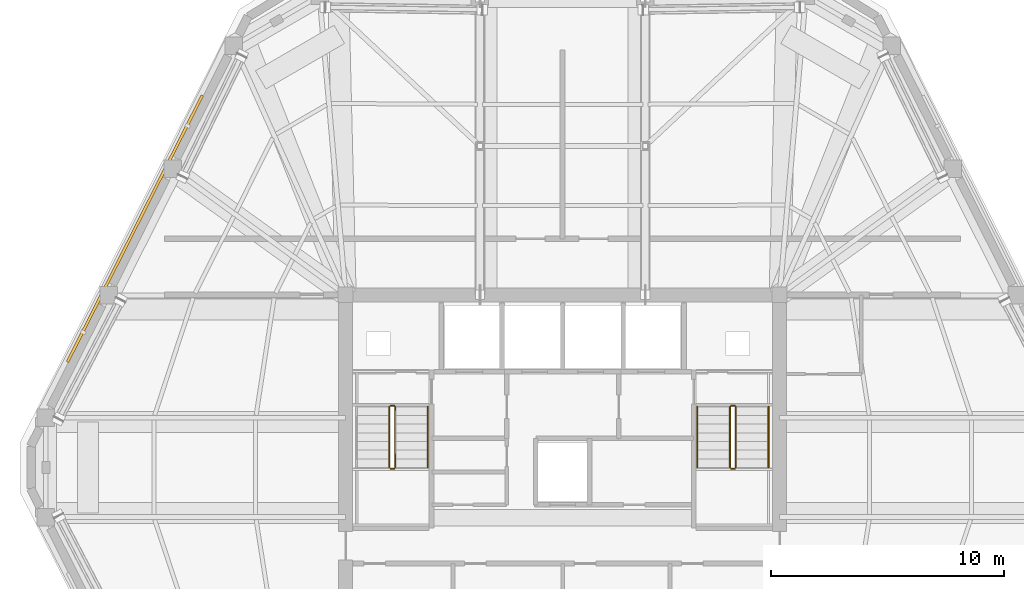
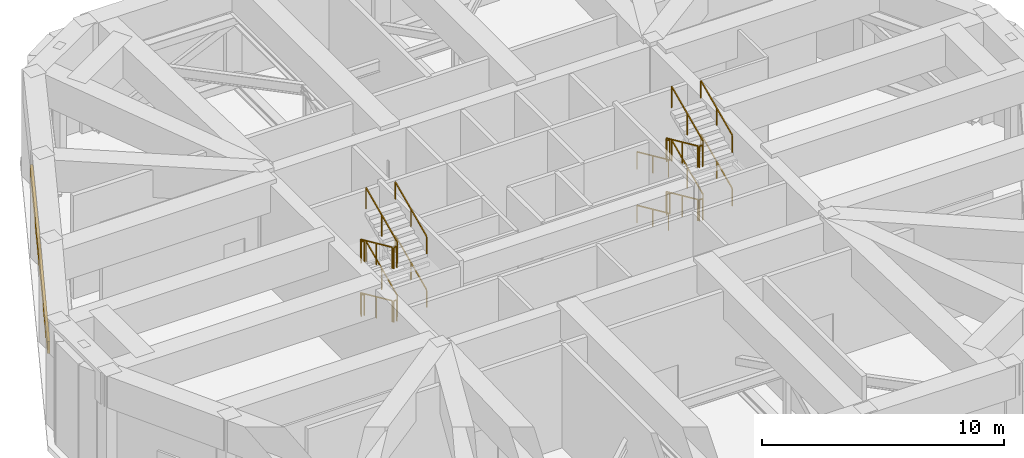
# One storey, part 14 of 15: 22 railings, 1 shading device.
"""IFC4 building model written with IfcOpenShell, lengths in metres."""

from ifc_helpers import new_model, si_unit, direction, frame, origin, origin_2d, place, context, subcontext, project, spatial, rectangle, extrude, material, layer, layer_set, type_object, element, save


model = new_model("IFC4")

# Units and contexts
model_context = context("Model", 3, precision=1e-05, world=origin(), true_north=direction((0.0, 1.0)))
body_context = subcontext(model_context, "Body", "Model", "MODEL_VIEW")
ifc_project = project(units=[si_unit("LENGTHUNIT", "METRE"), si_unit("AREAUNIT", "SQUARE_METRE"), si_unit("VOLUMEUNIT", "CUBIC_METRE"), si_unit("PLANEANGLEUNIT", "RADIAN"), si_unit("MASSUNIT", "GRAM", prefix="KILO")], contexts=[model_context])

# Site, building, storey
site_placement = place(None, origin())
site = spatial("IfcSite", under=ifc_project, at=site_placement, CompositionType="ELEMENT")
building_placement = place(site_placement, origin())
building = spatial("IfcBuilding", under=site, at=building_placement, Name="Cinnabar Lancet Tower", CompositionType="ELEMENT")
storey_placement = place(building_placement, frame((0.0, 0.0, 221.60009765625)))
storey = spatial("IfcBuildingStorey", under=building, at=storey_placement, Name="L59", CompositionType="ELEMENT", Elevation=221.60009765625)

# Shading device
ifc_material_1 = material(Name="Anodized acoustic plant weather louvre", Category="aluminium")
ifc_layer = layer(ifc_material_1, 0.094970703125)
ifc_layer_set = layer_set([ifc_layer], Name="Anodized acoustic plant weather louvre")
shading_device_type = type_object("IfcShadingDeviceType", Name="ENV-SHD-LVR-600", PredefinedType="JALOUSIE", material=ifc_layer_set)
shading_device_placement = place(storey_placement, frame((14.06689453125, 36.031005859375, 1.849853515625), z_axis=(0.0, 0.0, 1.0), x_axis=(-0.451375984307, -0.89233386173, 0.0)))
element("IfcShadingDevice", 1, at=shading_device_placement, inside=storey, type_object=shading_device_type, Name="L59 Face 5 Acoustic Plant Weather Louvre", PredefinedType="JALOUSIE", context=body_context, shape_type="SweptSolid", body=[
    extrude(rectangle(XDim=12.800048828125, YDim=0.1201171875, at=origin_2d()), origin(), (0.0, 0.0, 1.0), 0.60009765625),
])

# Railings
ifc_material_2 = material(Name="Painted galvanized steel balustrade", Category="steel")
railing_type_1 = type_object("IfcRailingType", Name="GUARD-STAIR", PredefinedType="GUARDRAIL", material=ifc_material_2)
railing_1_placement = place(storey_placement, frame((24.97509765625, 28.39990234375, 0.168701171875)))
element("IfcRailing", 2, at=railing_1_placement, inside=storey, type_object=railing_type_1, Name="L59 ST-1 stair guard 1", PredefinedType="GUARDRAIL", context=body_context, shape_type="SweptSolid", body=[
    extrude(rectangle(XDim=0.048095703125, YDim=0.048095703125, at=origin_2d()), frame((0.0, 0.0, 1.076171875), z_axis=(0.0, -0.910430886142, 0.413661215923), x_axis=(1.0, 0.0, 0.0)), (0.0, 0.0, 1.0), 2.85546875),
    extrude(rectangle(XDim=0.0419921875, YDim=0.0419921875, at=origin_2d()), origin(), (0.0, 0.0, 1.0), 1.052001953125),
    extrude(rectangle(XDim=0.0419921875, YDim=0.0419921875, at=origin_2d()), frame((0.0, -1.2998046875, 0.590576171875)), (0.0, 0.0, 1.0), 1.052001953125),
    extrude(rectangle(XDim=0.0419921875, YDim=0.0419921875, at=origin_2d()), frame((0.0, -2.599609375, 1.18115234375)), (0.0, 0.0, 1.0), 1.052001953125),
])
railing_2_placement = place(storey_placement, frame((25.02490234375, 25.750244140625, 1.349853515625)))
element("IfcRailing", 3, at=railing_2_placement, inside=storey, type_object=railing_type_1, Name="L59 ST-1 stair guard 2", PredefinedType="GUARDRAIL", context=body_context, shape_type="SweptSolid", body=[
    extrude(rectangle(XDim=0.048095703125, YDim=0.048095703125, at=origin_2d()), frame((0.0, 0.0, 1.076171875), z_axis=(1.0, 0.0, 0.0), x_axis=(0.0, 1.0, 0.0)), (0.0, 0.0, 1.0), 0.150146484375),
    extrude(rectangle(XDim=0.0419921875, YDim=0.0419921875, at=origin_2d()), origin(), (0.0, 0.0, 1.0), 1.052001953125),
    extrude(rectangle(XDim=0.0419921875, YDim=0.0419921875, at=origin_2d()), frame((0.150146484375, 0.0, 0.0)), (0.0, 0.0, 1.0), 1.052001953125),
])
railing_3_placement = place(storey_placement, frame((25.22509765625, 25.80029296875, 1.5185546875)))
element("IfcRailing", 4, at=railing_3_placement, inside=storey, type_object=railing_type_1, Name="L59 ST-1 stair guard 3", PredefinedType="GUARDRAIL", context=body_context, shape_type="SweptSolid", body=[
    extrude(rectangle(XDim=0.048095703125, YDim=0.048095703125, at=origin_2d()), frame((0.0, 0.0, 1.076171875), z_axis=(0.0, 0.910398683421, 0.413732083872), x_axis=(-1.0, 0.0, 0.0)), (0.0, 0.0, 1.0), 2.85546875),
    extrude(rectangle(XDim=0.0419921875, YDim=0.0419921875, at=origin_2d()), origin(), (0.0, 0.0, 1.0), 1.052001953125),
    extrude(rectangle(XDim=0.0419921875, YDim=0.0419921875, at=origin_2d()), frame((0.0, 1.2998046875, 0.5908203125)), (0.0, 0.0, 1.0), 1.052001953125),
    extrude(rectangle(XDim=0.0419921875, YDim=0.0419921875, at=origin_2d()), frame((0.0, 2.599609375, 1.181396484375)), (0.0, 0.0, 1.0), 1.052001953125),
])
railing_4_placement = place(storey_placement, frame((25.02490234375, 28.449951171875, 2.699951171875)))
element("IfcRailing", 5, at=railing_4_placement, inside=storey, type_object=railing_type_1, Name="L59 ST-1 stair guard 4", PredefinedType="GUARDRAIL", context=body_context, shape_type="SweptSolid", body=[
    extrude(rectangle(XDim=0.048095703125, YDim=0.048095703125, at=origin_2d()), frame((0.0, 0.0, 1.076171875), z_axis=(1.0, 0.0, 0.0), x_axis=(0.0, 1.0, 0.0)), (0.0, 0.0, 1.0), 0.150146484375),
    extrude(rectangle(XDim=0.0419921875, YDim=0.0419921875, at=origin_2d()), origin(), (0.0, 0.0, 1.0), 1.052001953125),
    extrude(rectangle(XDim=0.0419921875, YDim=0.0419921875, at=origin_2d()), frame((0.150146484375, 0.0, 0.0)), (0.0, 0.0, 1.0), 1.052001953125),
])
railing_5_placement = place(storey_placement, frame((24.97509765625, 28.39990234375, 2.86865234375)))
element("IfcRailing", 6, at=railing_5_placement, inside=storey, type_object=railing_type_1, Name="L59 ST-1 stair guard 5", PredefinedType="GUARDRAIL", context=body_context, shape_type="SweptSolid", body=[
    extrude(rectangle(XDim=0.048095703125, YDim=0.048095703125, at=origin_2d()), frame((0.0, 0.0, 1.076171875), z_axis=(0.0, -0.910430886142, 0.413661215923), x_axis=(1.0, 0.0, 0.0)), (0.0, 0.0, 1.0), 2.85546875),
    extrude(rectangle(XDim=0.0419921875, YDim=0.0419921875, at=origin_2d()), origin(), (0.0, 0.0, 1.0), 1.052001953125),
    extrude(rectangle(XDim=0.0419921875, YDim=0.0419921875, at=origin_2d()), frame((0.0, -1.2998046875, 0.590576171875)), (0.0, 0.0, 1.0), 1.052001953125),
    extrude(rectangle(XDim=0.0419921875, YDim=0.0419921875, at=origin_2d()), frame((0.0, -2.599609375, 1.18115234375)), (0.0, 0.0, 1.0), 1.052001953125),
])
railing_6_placement = place(storey_placement, frame((25.02490234375, 25.750244140625, 4.0498046875)))
element("IfcRailing", 7, at=railing_6_placement, inside=storey, type_object=railing_type_1, Name="L59 ST-1 stair guard 6", PredefinedType="GUARDRAIL", context=body_context, shape_type="SweptSolid", body=[
    extrude(rectangle(XDim=0.048095703125, YDim=0.048095703125, at=origin_2d()), frame((0.0, 0.0, 1.076171875), z_axis=(1.0, 0.0, 0.0), x_axis=(0.0, 1.0, 0.0)), (0.0, 0.0, 1.0), 0.150146484375),
    extrude(rectangle(XDim=0.0419921875, YDim=0.0419921875, at=origin_2d()), origin(), (0.0, 0.0, 1.0), 1.052001953125),
    extrude(rectangle(XDim=0.0419921875, YDim=0.0419921875, at=origin_2d()), frame((0.150146484375, 0.0, 0.0)), (0.0, 0.0, 1.0), 1.052001953125),
])
railing_7_placement = place(storey_placement, frame((25.22509765625, 25.80029296875, 4.21875)))
element("IfcRailing", 8, at=railing_7_placement, inside=storey, type_object=railing_type_1, Name="L59 ST-1 stair guard 7", PredefinedType="GUARDRAIL", context=body_context, shape_type="SweptSolid", body=[
    extrude(rectangle(XDim=0.048095703125, YDim=0.048095703125, at=origin_2d()), frame((0.0, 0.0, 1.076171875), z_axis=(0.0, 0.910430886142, 0.413661215923), x_axis=(-1.0, 0.0, 0.0)), (0.0, 0.0, 1.0), 2.85546875),
    extrude(rectangle(XDim=0.0419921875, YDim=0.0419921875, at=origin_2d()), origin(), (0.0, 0.0, 1.0), 1.052001953125),
    extrude(rectangle(XDim=0.0419921875, YDim=0.0419921875, at=origin_2d()), frame((0.0, 1.2998046875, 0.590576171875)), (0.0, 0.0, 1.0), 1.052001953125),
    extrude(rectangle(XDim=0.0419921875, YDim=0.0419921875, at=origin_2d()), frame((0.0, 2.599609375, 1.18115234375)), (0.0, 0.0, 1.0), 1.052001953125),
])
railing_8_placement = place(storey_placement, frame((25.02490234375, 28.449951171875, 0.0)))
element("IfcRailing", 9, at=railing_8_placement, inside=storey, type_object=railing_type_1, Name="L59 ST-1 stair guard 8", PredefinedType="GUARDRAIL", context=body_context, shape_type="SweptSolid", body=[
    extrude(rectangle(XDim=0.048095703125, YDim=0.048095703125, at=origin_2d()), frame((0.0, 0.0, 1.076171875), z_axis=(1.0, 0.0, 0.0), x_axis=(0.0, 1.0, 0.0)), (0.0, 0.0, 1.0), 0.150146484375),
    extrude(rectangle(XDim=0.0419921875, YDim=0.0419921875, at=origin_2d()), origin(), (0.0, 0.0, 1.0), 1.052001953125),
    extrude(rectangle(XDim=0.0419921875, YDim=0.0419921875, at=origin_2d()), frame((0.150146484375, 0.0, 0.0)), (0.0, 0.0, 1.0), 1.052001953125),
])
railing_9_placement = place(storey_placement, frame((39.574951171875, 28.39990234375, 0.168701171875)))
element("IfcRailing", 10, at=railing_9_placement, inside=storey, type_object=railing_type_1, Name="L59 ST-2 stair guard 1", PredefinedType="GUARDRAIL", context=body_context, shape_type="SweptSolid", body=[
    extrude(rectangle(XDim=0.048095703125, YDim=0.048095703125, at=origin_2d()), frame((0.0, 0.0, 1.076171875), z_axis=(0.0, -0.910430886142, 0.413661215923), x_axis=(1.0, 0.0, 0.0)), (0.0, 0.0, 1.0), 2.85546875),
    extrude(rectangle(XDim=0.0419921875, YDim=0.0419921875, at=origin_2d()), origin(), (0.0, 0.0, 1.0), 1.052001953125),
    extrude(rectangle(XDim=0.0419921875, YDim=0.0419921875, at=origin_2d()), frame((0.0, -1.2998046875, 0.590576171875)), (0.0, 0.0, 1.0), 1.052001953125),
    extrude(rectangle(XDim=0.0419921875, YDim=0.0419921875, at=origin_2d()), frame((0.0, -2.599609375, 1.18115234375)), (0.0, 0.0, 1.0), 1.052001953125),
])
railing_10_placement = place(storey_placement, frame((39.625, 25.750244140625, 1.349853515625)))
element("IfcRailing", 11, at=railing_10_placement, inside=storey, type_object=railing_type_1, Name="L59 ST-2 stair guard 2", PredefinedType="GUARDRAIL", context=body_context, shape_type="SweptSolid", body=[
    extrude(rectangle(XDim=0.048095703125, YDim=0.048095703125, at=origin_2d()), frame((0.0, 0.0, 1.076171875), z_axis=(1.0, 0.0, 0.0), x_axis=(0.0, 1.0, 0.0)), (0.0, 0.0, 1.0), 0.14990234375),
    extrude(rectangle(XDim=0.0419921875, YDim=0.0419921875, at=origin_2d()), origin(), (0.0, 0.0, 1.0), 1.052001953125),
    extrude(rectangle(XDim=0.0419921875, YDim=0.0419921875, at=origin_2d()), frame((0.14990234375, 0.0, 0.0)), (0.0, 0.0, 1.0), 1.052001953125),
])
railing_11_placement = place(storey_placement, frame((39.824951171875, 25.80029296875, 1.5185546875)))
element("IfcRailing", 12, at=railing_11_placement, inside=storey, type_object=railing_type_1, Name="L59 ST-2 stair guard 3", PredefinedType="GUARDRAIL", context=body_context, shape_type="SweptSolid", body=[
    extrude(rectangle(XDim=0.048095703125, YDim=0.048095703125, at=origin_2d()), frame((0.0, 0.0, 1.076171875), z_axis=(0.0, 0.910398683421, 0.413732083872), x_axis=(-1.0, 0.0, 0.0)), (0.0, 0.0, 1.0), 2.85546875),
    extrude(rectangle(XDim=0.0419921875, YDim=0.0419921875, at=origin_2d()), origin(), (0.0, 0.0, 1.0), 1.052001953125),
    extrude(rectangle(XDim=0.0419921875, YDim=0.0419921875, at=origin_2d()), frame((0.0, 1.2998046875, 0.5908203125)), (0.0, 0.0, 1.0), 1.052001953125),
    extrude(rectangle(XDim=0.0419921875, YDim=0.0419921875, at=origin_2d()), frame((0.0, 2.599609375, 1.181396484375)), (0.0, 0.0, 1.0), 1.052001953125),
])
railing_12_placement = place(storey_placement, frame((39.625, 28.449951171875, 2.699951171875)))
element("IfcRailing", 13, at=railing_12_placement, inside=storey, type_object=railing_type_1, Name="L59 ST-2 stair guard 4", PredefinedType="GUARDRAIL", context=body_context, shape_type="SweptSolid", body=[
    extrude(rectangle(XDim=0.048095703125, YDim=0.048095703125, at=origin_2d()), frame((0.0, 0.0, 1.076171875), z_axis=(1.0, 0.0, 0.0), x_axis=(0.0, 1.0, 0.0)), (0.0, 0.0, 1.0), 0.14990234375),
    extrude(rectangle(XDim=0.0419921875, YDim=0.0419921875, at=origin_2d()), origin(), (0.0, 0.0, 1.0), 1.052001953125),
    extrude(rectangle(XDim=0.0419921875, YDim=0.0419921875, at=origin_2d()), frame((0.14990234375, 0.0, 0.0)), (0.0, 0.0, 1.0), 1.052001953125),
])
railing_13_placement = place(storey_placement, frame((39.574951171875, 28.39990234375, 2.86865234375)))
element("IfcRailing", 14, at=railing_13_placement, inside=storey, type_object=railing_type_1, Name="L59 ST-2 stair guard 5", PredefinedType="GUARDRAIL", context=body_context, shape_type="SweptSolid", body=[
    extrude(rectangle(XDim=0.048095703125, YDim=0.048095703125, at=origin_2d()), frame((0.0, 0.0, 1.076171875), z_axis=(0.0, -0.910430886142, 0.413661215923), x_axis=(1.0, 0.0, 0.0)), (0.0, 0.0, 1.0), 2.85546875),
    extrude(rectangle(XDim=0.0419921875, YDim=0.0419921875, at=origin_2d()), origin(), (0.0, 0.0, 1.0), 1.052001953125),
    extrude(rectangle(XDim=0.0419921875, YDim=0.0419921875, at=origin_2d()), frame((0.0, -1.2998046875, 0.590576171875)), (0.0, 0.0, 1.0), 1.052001953125),
    extrude(rectangle(XDim=0.0419921875, YDim=0.0419921875, at=origin_2d()), frame((0.0, -2.599609375, 1.18115234375)), (0.0, 0.0, 1.0), 1.052001953125),
])
railing_14_placement = place(storey_placement, frame((39.625, 25.750244140625, 4.0498046875)))
element("IfcRailing", 15, at=railing_14_placement, inside=storey, type_object=railing_type_1, Name="L59 ST-2 stair guard 6", PredefinedType="GUARDRAIL", context=body_context, shape_type="SweptSolid", body=[
    extrude(rectangle(XDim=0.048095703125, YDim=0.048095703125, at=origin_2d()), frame((0.0, 0.0, 1.076171875), z_axis=(1.0, 0.0, 0.0), x_axis=(0.0, 1.0, 0.0)), (0.0, 0.0, 1.0), 0.14990234375),
    extrude(rectangle(XDim=0.0419921875, YDim=0.0419921875, at=origin_2d()), origin(), (0.0, 0.0, 1.0), 1.052001953125),
    extrude(rectangle(XDim=0.0419921875, YDim=0.0419921875, at=origin_2d()), frame((0.14990234375, 0.0, 0.0)), (0.0, 0.0, 1.0), 1.052001953125),
])
railing_15_placement = place(storey_placement, frame((39.824951171875, 25.80029296875, 4.21875)))
element("IfcRailing", 16, at=railing_15_placement, inside=storey, type_object=railing_type_1, Name="L59 ST-2 stair guard 7", PredefinedType="GUARDRAIL", context=body_context, shape_type="SweptSolid", body=[
    extrude(rectangle(XDim=0.048095703125, YDim=0.048095703125, at=origin_2d()), frame((0.0, 0.0, 1.076171875), z_axis=(0.0, 0.910430886142, 0.413661215923), x_axis=(-1.0, 0.0, 0.0)), (0.0, 0.0, 1.0), 2.85546875),
    extrude(rectangle(XDim=0.0419921875, YDim=0.0419921875, at=origin_2d()), origin(), (0.0, 0.0, 1.0), 1.052001953125),
    extrude(rectangle(XDim=0.0419921875, YDim=0.0419921875, at=origin_2d()), frame((0.0, 1.2998046875, 0.590576171875)), (0.0, 0.0, 1.0), 1.052001953125),
    extrude(rectangle(XDim=0.0419921875, YDim=0.0419921875, at=origin_2d()), frame((0.0, 2.599609375, 1.18115234375)), (0.0, 0.0, 1.0), 1.052001953125),
])
railing_16_placement = place(storey_placement, frame((39.625, 28.449951171875, 0.0)))
element("IfcRailing", 17, at=railing_16_placement, inside=storey, type_object=railing_type_1, Name="L59 ST-2 stair guard 8", PredefinedType="GUARDRAIL", context=body_context, shape_type="SweptSolid", body=[
    extrude(rectangle(XDim=0.048095703125, YDim=0.048095703125, at=origin_2d()), frame((0.0, 0.0, 1.076171875), z_axis=(1.0, 0.0, 0.0), x_axis=(0.0, 1.0, 0.0)), (0.0, 0.0, 1.0), 0.14990234375),
    extrude(rectangle(XDim=0.0419921875, YDim=0.0419921875, at=origin_2d()), origin(), (0.0, 0.0, 1.0), 1.052001953125),
    extrude(rectangle(XDim=0.0419921875, YDim=0.0419921875, at=origin_2d()), frame((0.14990234375, 0.0, 0.0)), (0.0, 0.0, 1.0), 1.052001953125),
])
ifc_material_3 = material(Name="Brushed stainless steel handrail", Category="steel")
railing_type_2 = type_object("IfcRailingType", Name="HANDRAIL-STAIR", PredefinedType="HANDRAIL", material=ifc_material_3)
railing_17_placement = place(storey_placement, frame((26.625, 25.80029296875, 1.5185546875)))
element("IfcRailing", 18, at=railing_17_placement, inside=storey, type_object=railing_type_2, Name="L59 ST-1 stair handrail 2", PredefinedType="HANDRAIL", context=body_context, shape_type="SweptSolid", body=[
    extrude(rectangle(XDim=0.048095703125, YDim=0.048095703125, at=origin_2d()), frame((0.0, 0.0, 0.8759765625), z_axis=(0.0, 0.910398683421, 0.413732083872), x_axis=(-1.0, 0.0, 0.0)), (0.0, 0.0, 1.0), 2.85546875),
    extrude(rectangle(XDim=0.0419921875, YDim=0.0419921875, at=origin_2d()), origin(), (0.0, 0.0, 1.0), 0.851806640625),
    extrude(rectangle(XDim=0.0419921875, YDim=0.0419921875, at=origin_2d()), frame((0.0, 1.2998046875, 0.5908203125)), (0.0, 0.0, 1.0), 0.851806640625),
    extrude(rectangle(XDim=0.0419921875, YDim=0.0419921875, at=origin_2d()), frame((0.0, 2.599609375, 1.181396484375)), (0.0, 0.0, 1.0), 0.851806640625),
])
railing_18_placement = place(storey_placement, frame((26.625, 25.80029296875, 4.21875)))
element("IfcRailing", 19, at=railing_18_placement, inside=storey, type_object=railing_type_2, Name="L59 ST-1 stair handrail 4", PredefinedType="HANDRAIL", context=body_context, shape_type="SweptSolid", body=[
    extrude(rectangle(XDim=0.048095703125, YDim=0.048095703125, at=origin_2d()), frame((0.0, 0.0, 0.8759765625), z_axis=(0.0, 0.910430886142, 0.413661215923), x_axis=(-1.0, 0.0, 0.0)), (0.0, 0.0, 1.0), 2.85546875),
    extrude(rectangle(XDim=0.0419921875, YDim=0.0419921875, at=origin_2d()), origin(), (0.0, 0.0, 1.0), 0.851806640625),
    extrude(rectangle(XDim=0.0419921875, YDim=0.0419921875, at=origin_2d()), frame((0.0, 1.2998046875, 0.590576171875)), (0.0, 0.0, 1.0), 0.851806640625),
    extrude(rectangle(XDim=0.0419921875, YDim=0.0419921875, at=origin_2d()), frame((0.0, 2.599609375, 1.18115234375)), (0.0, 0.0, 1.0), 0.851806640625),
])
railing_19_placement = place(storey_placement, frame((38.175048828125, 28.39990234375, 0.168701171875)))
element("IfcRailing", 20, at=railing_19_placement, inside=storey, type_object=railing_type_2, Name="L59 ST-2 stair handrail 1", PredefinedType="HANDRAIL", context=body_context, shape_type="SweptSolid", body=[
    extrude(rectangle(XDim=0.048095703125, YDim=0.048095703125, at=origin_2d()), frame((0.0, 0.0, 0.8759765625), z_axis=(0.0, -0.910430886142, 0.413661215923), x_axis=(1.0, 0.0, 0.0)), (0.0, 0.0, 1.0), 2.85546875),
    extrude(rectangle(XDim=0.0419921875, YDim=0.0419921875, at=origin_2d()), origin(), (0.0, 0.0, 1.0), 0.851806640625),
    extrude(rectangle(XDim=0.0419921875, YDim=0.0419921875, at=origin_2d()), frame((0.0, -1.2998046875, 0.590576171875)), (0.0, 0.0, 1.0), 0.851806640625),
    extrude(rectangle(XDim=0.0419921875, YDim=0.0419921875, at=origin_2d()), frame((0.0, -2.599609375, 1.18115234375)), (0.0, 0.0, 1.0), 0.851806640625),
])
railing_20_placement = place(storey_placement, frame((41.22509765625, 25.80029296875, 1.5185546875)))
element("IfcRailing", 21, at=railing_20_placement, inside=storey, type_object=railing_type_2, Name="L59 ST-2 stair handrail 2", PredefinedType="HANDRAIL", context=body_context, shape_type="SweptSolid", body=[
    extrude(rectangle(XDim=0.048095703125, YDim=0.048095703125, at=origin_2d()), frame((0.0, 0.0, 0.8759765625), z_axis=(0.0, 0.910398683421, 0.413732083872), x_axis=(-1.0, 0.0, 0.0)), (0.0, 0.0, 1.0), 2.85546875),
    extrude(rectangle(XDim=0.0419921875, YDim=0.0419921875, at=origin_2d()), origin(), (0.0, 0.0, 1.0), 0.851806640625),
    extrude(rectangle(XDim=0.0419921875, YDim=0.0419921875, at=origin_2d()), frame((0.0, 1.2998046875, 0.5908203125)), (0.0, 0.0, 1.0), 0.851806640625),
    extrude(rectangle(XDim=0.0419921875, YDim=0.0419921875, at=origin_2d()), frame((0.0, 2.599609375, 1.181396484375)), (0.0, 0.0, 1.0), 0.851806640625),
])
railing_21_placement = place(storey_placement, frame((38.175048828125, 28.39990234375, 2.86865234375)))
element("IfcRailing", 22, at=railing_21_placement, inside=storey, type_object=railing_type_2, Name="L59 ST-2 stair handrail 3", PredefinedType="HANDRAIL", context=body_context, shape_type="SweptSolid", body=[
    extrude(rectangle(XDim=0.048095703125, YDim=0.048095703125, at=origin_2d()), frame((0.0, 0.0, 0.8759765625), z_axis=(0.0, -0.910430886142, 0.413661215923), x_axis=(1.0, 0.0, 0.0)), (0.0, 0.0, 1.0), 2.85546875),
    extrude(rectangle(XDim=0.0419921875, YDim=0.0419921875, at=origin_2d()), origin(), (0.0, 0.0, 1.0), 0.851806640625),
    extrude(rectangle(XDim=0.0419921875, YDim=0.0419921875, at=origin_2d()), frame((0.0, -1.2998046875, 0.590576171875)), (0.0, 0.0, 1.0), 0.851806640625),
    extrude(rectangle(XDim=0.0419921875, YDim=0.0419921875, at=origin_2d()), frame((0.0, -2.599609375, 1.18115234375)), (0.0, 0.0, 1.0), 0.851806640625),
])
railing_22_placement = place(storey_placement, frame((41.22509765625, 25.80029296875, 4.21875)))
element("IfcRailing", 23, at=railing_22_placement, inside=storey, type_object=railing_type_2, Name="L59 ST-2 stair handrail 4", PredefinedType="HANDRAIL", context=body_context, shape_type="SweptSolid", body=[
    extrude(rectangle(XDim=0.048095703125, YDim=0.048095703125, at=origin_2d()), frame((0.0, 0.0, 0.8759765625), z_axis=(0.0, 0.910430886142, 0.413661215923), x_axis=(-1.0, 0.0, 0.0)), (0.0, 0.0, 1.0), 2.85546875),
    extrude(rectangle(XDim=0.0419921875, YDim=0.0419921875, at=origin_2d()), origin(), (0.0, 0.0, 1.0), 0.851806640625),
    extrude(rectangle(XDim=0.0419921875, YDim=0.0419921875, at=origin_2d()), frame((0.0, 1.2998046875, 0.590576171875)), (0.0, 0.0, 1.0), 0.851806640625),
    extrude(rectangle(XDim=0.0419921875, YDim=0.0419921875, at=origin_2d()), frame((0.0, 2.599609375, 1.18115234375)), (0.0, 0.0, 1.0), 0.851806640625),
])

save(model, "model.ifc")
